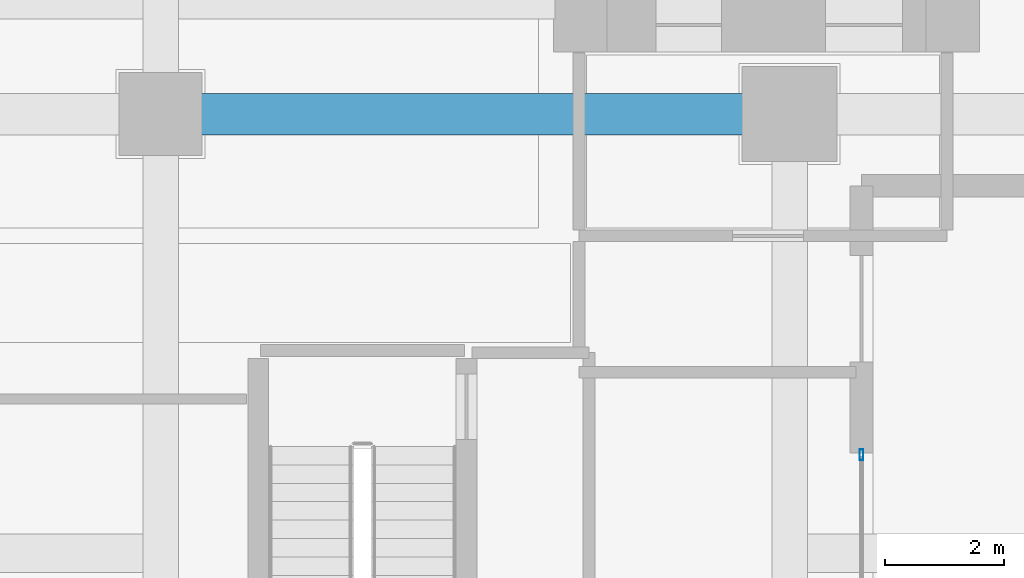
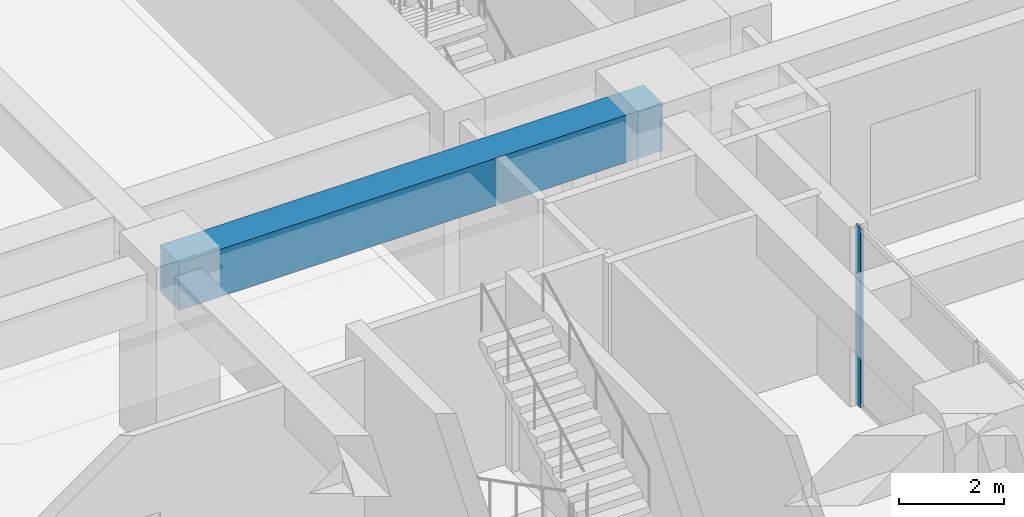
# One storey, part 10 of 39: 1 beam, 1 member, 1 element without a shape of its own.
"""IFC4 building model written with IfcOpenShell, lengths in metres."""

import ifcopenshell
import ifcopenshell.guid

model = None  # the IFC model being written
_history = None  # IfcOwnerHistory: only IFC2X3 demands one
_inside = {}  # id of a spatial element -> (the spatial element, [elements in it])
_under = {}  # id of a project, library or spatial element -> (it, [spatial elements below it])
_declared = {}  # id of a project -> (the project, [libraries it declares])
_typed = {}  # id of a type object -> (the type object, [elements of that type])
_made_of = {}  # id of a material, layer set ... -> (it, [elements and type objects made of it])


def new_model(schema):
    """Start an empty IFC model of exactly this schema.

    Asked for "IFC4X3", IfcOpenShell would pick the latest addendum, in which some entities
    have other attributes; the version numbers below select the first issue.
    IFC2X3 requires an IfcOwnerHistory on every rooted entity: one is made here for all.
    """
    global model, _history
    if schema == "IFC4X3":
        model = ifcopenshell.file(schema_version=(4, 3, 0, 0))
    else:
        model = ifcopenshell.file(schema=schema)
    _inside.clear()
    _under.clear()
    _declared.clear()
    _typed.clear()
    _made_of.clear()
    _history = None
    if model.schema == "IFC2X3":
        org = make("IfcOrganization", Name="unknown")
        user = make(
            "IfcPersonAndOrganization",
            ThePerson=make("IfcPerson", FamilyName="unknown"),
            TheOrganization=org,
        )
        app = make(
            "IfcApplication",
            ApplicationDeveloper=org,
            Version="unknown",
            ApplicationFullName="unknown",
            ApplicationIdentifier="unknown",
        )
        _history = make(
            "IfcOwnerHistory",
            OwningUser=user,
            OwningApplication=app,
            ChangeAction="ADDED",
            CreationDate=0,
        )
    return model


def make(cls, **values):
    """One entity of the class cls with the attributes given. An attribute that is None is left unset."""
    return model.create_entity(
        cls, **{name: value for name, value in values.items() if value is not None}
    )


def rooted(cls, **values):
    """An entity with a GlobalId (a new one), such as an element, a storey or a relation."""
    return make(cls, GlobalId=ifcopenshell.guid.new(), OwnerHistory=_history, **values)


def si_unit(unit_type, name, prefix=None):
    """IfcSIUnit, for example si_unit("LENGTHUNIT", "METRE", prefix="MILLI")."""
    return make("IfcSIUnit", UnitType=unit_type, Prefix=prefix, Name=name)


def assignment(units):
    """IfcUnitAssignment: the units of a project."""
    return None if units is None else make("IfcUnitAssignment", Units=units)


def point(xyz):
    """IfcCartesianPoint."""
    return None if xyz is None else make("IfcCartesianPoint", Coordinates=xyz)


def direction(xyz):
    """IfcDirection."""
    return None if xyz is None else make("IfcDirection", DirectionRatios=xyz)


def frame(location, z_axis=None, x_axis=None):
    """IfcAxis2Placement3D, a coordinate frame: its origin and axes. An axis left out is left unset."""
    return make(
        "IfcAxis2Placement3D",
        Location=point(location),
        Axis=direction(z_axis),
        RefDirection=direction(x_axis),
    )


def frame_2d(location, x_axis=None):
    """IfcAxis2Placement2D, a coordinate frame in the plane: its origin and x axis."""
    return make(
        "IfcAxis2Placement2D", Location=point(location), RefDirection=direction(x_axis)
    )


def origin():
    """The frame at (0, 0, 0) with its axes left unset."""
    return frame((0.0, 0.0, 0.0))


def origin_2d():
    """The frame at (0, 0) in the plane with its x axis left unset."""
    return frame_2d((0.0, 0.0))


def place(relative_to, where):
    """IfcLocalPlacement: puts the frame where relative to a parent placement (None: the world)."""
    return make(
        "IfcLocalPlacement", PlacementRelTo=relative_to, RelativePlacement=where
    )


def context(
    kind, dimensions, precision=None, world=None, true_north=None, identifier=None
):
    """IfcGeometricRepresentationContext, for example the 3D "Model" context."""
    return make(
        "IfcGeometricRepresentationContext",
        ContextIdentifier=identifier,
        ContextType=kind,
        CoordinateSpaceDimension=dimensions,
        Precision=precision,
        WorldCoordinateSystem=world,
        TrueNorth=true_north,
    )


def subcontext(parent, identifier, kind, view, scale=None):
    """IfcGeometricRepresentationSubContext, for example "Body" below "Model"."""
    return make(
        "IfcGeometricRepresentationSubContext",
        ContextIdentifier=identifier,
        ContextType=kind,
        ParentContext=parent,
        TargetScale=scale,
        TargetView=view,
    )


def project(units=None, contexts=None):
    """IfcProject with its units and contexts."""
    return rooted(
        "IfcProject",
        Name="project",
        RepresentationContexts=contexts,
        UnitsInContext=assignment(units),
    )


def spatial(cls, under=None, at=None, **own):
    """A site, building, storey or space (cls), placed at a placement, below another one or the project."""
    s = rooted(cls, ObjectPlacement=at, **own)
    if under is not None:
        _under.setdefault(under.id(), (under, []))[1].append(s)
    return s


def profile(cls, at=None, kind="AREA", **sizes):
    """A parametric profile (cls). Its sizes go by their IFC names, for example OverallWidth=200.0."""
    return make(cls, ProfileType=kind, Position=at, **sizes)


def rectangle(**sizes):
    """IfcRectangleProfileDef."""
    return profile("IfcRectangleProfileDef", **sizes)


def hollow_rectangle(**sizes):
    """IfcRectangleHollowProfileDef."""
    return profile("IfcRectangleHollowProfileDef", **sizes)


def extrude(swept, where, along, depth):
    """IfcExtrudedAreaSolid: the profile swept, set in the frame where, extruded along a direction by depth."""
    return make(
        "IfcExtrudedAreaSolid",
        SweptArea=swept,
        Position=where,
        ExtrudedDirection=direction(along),
        Depth=depth,
    )


def shape(context_of_items, identifier, shape_type, items):
    """IfcShapeRepresentation: the items that make up one representation, for example the "Body"."""
    return make(
        "IfcShapeRepresentation",
        ContextOfItems=context_of_items,
        RepresentationIdentifier=identifier,
        RepresentationType=shape_type,
        Items=items,
    )


def source(mapping_origin, context_of_items, identifier, shape_type, items):
    """IfcRepresentationMap: a shape defined once, which mapped items show again and again."""
    return make(
        "IfcRepresentationMap",
        MappingOrigin=mapping_origin,
        MappedRepresentation=shape(context_of_items, identifier, shape_type, items),
    )


def transform(
    local_origin,
    x_axis=None,
    y_axis=None,
    z_axis=None,
    scale=None,
    scale2=None,
    scale3=None,
    uniform=True,
):
    """IfcCartesianTransformationOperator3D, or its non-uniform kind. x_axis, y_axis, z_axis: its Axis1, 2, 3."""
    if uniform:
        return make(
            "IfcCartesianTransformationOperator3D",
            Axis1=direction(x_axis),
            Axis2=direction(y_axis),
            LocalOrigin=point(local_origin),
            Scale=scale,
            Axis3=direction(z_axis),
        )
    return make(
        "IfcCartesianTransformationOperator3DnonUniform",
        Axis1=direction(x_axis),
        Axis2=direction(y_axis),
        LocalOrigin=point(local_origin),
        Scale=scale,
        Axis3=direction(z_axis),
        Scale2=scale2,
        Scale3=scale3,
    )


def mapped(mapping_source, mapping_target):
    """IfcMappedItem: shows the shape of a source again, moved by a transform."""
    return make(
        "IfcMappedItem", MappingSource=mapping_source, MappingTarget=mapping_target
    )


def material(Name=None, Category=None):
    """IfcMaterial."""
    return make("IfcMaterial", Name=Name, Category=Category)


def layer(
    of_material, thickness, ventilated=None, Name=None, Category=None, Priority=None
):
    """IfcMaterialLayer: one layer of a wall or slab, of a material (None: an air gap)."""
    return make(
        "IfcMaterialLayer",
        Material=of_material,
        LayerThickness=thickness,
        IsVentilated=ventilated,
        Name=Name,
        Category=Category,
        Priority=Priority,
    )


def layer_set(layers, Name=None):
    """IfcMaterialLayerSet."""
    return make("IfcMaterialLayerSet", MaterialLayers=layers, LayerSetName=Name)


def material_profile(
    of_material, cross_section, Name=None, Category=None, Priority=None
):
    """IfcMaterialProfile: a cross section and its material."""
    return make(
        "IfcMaterialProfile",
        Name=Name,
        Material=of_material,
        Profile=cross_section,
        Priority=Priority,
        Category=Category,
    )


def profile_set(profiles, Name=None, composite=None):
    """IfcMaterialProfileSet."""
    return make(
        "IfcMaterialProfileSet",
        Name=Name,
        MaterialProfiles=profiles,
        CompositeProfile=composite,
    )


def made_of(thing, what):
    """Note that an element or type object is made of a material, layer set ...; save() writes the relation."""
    if what is not None:
        _made_of.setdefault(what.id(), (what, []))[1].append(thing)
    return thing


def type_object(cls, material=None, **own):
    """A type object (cls), such as IfcWallType, which elements share."""
    return made_of(rooted(cls, **own), material)


def element(
    cls,
    number,
    at=None,
    inside=None,
    cuts=None,
    type_object=None,
    material=None,
    context=None,
    identifier="Body",
    shape_type=None,
    held_by="IfcProductDefinitionShape",
    body=None,
    shapes=None,
    **own,
):
    """One element of the class cls, such as IfcWall. Its Tag is "e" and its number.

    at: its placement. inside: the storey or other place that contains it. cuts: it is an
    opening in that element (IfcRelVoidsElement). A single representation is given by context,
    identifier, shape_type and body (its items); several are given by shapes. held_by: the class
    of the entity that holds the representations. save() writes the other relations.
    """
    e = rooted(cls, Tag="e%d" % number, ObjectPlacement=at, **own)
    if body is not None:
        shapes = [shape(context, identifier, shape_type, body)]
    if shapes is not None:
        e.Representation = make(held_by, Representations=shapes)
    if inside is not None:
        _inside.setdefault(inside.id(), (inside, []))[1].append(e)
    if cuts is not None:
        rooted(
            "IfcRelVoidsElement", RelatingBuildingElement=cuts, RelatedOpeningElement=e
        )
    if type_object is not None:
        _typed.setdefault(type_object.id(), (type_object, []))[1].append(e)
    return made_of(e, material)


def aggregate(whole, parts):
    """IfcRelAggregates: a whole, such as a stair, and the parts it consists of."""
    return rooted("IfcRelAggregates", RelatingObject=whole, RelatedObjects=parts)


def save(model, path):
    """Write the relations noted so far, then the file.

    IfcRelAggregates (storeys below a building ...), IfcRelContainedInSpatialStructure (elements
    in a storey), IfcRelDefinesByType, IfcRelAssociatesMaterial and IfcRelDeclares: one each for
    every whole, place, type object, material and project.
    """
    for whole, parts in _under.values():
        aggregate(whole, parts)
    for where, things in _inside.values():
        rooted(
            "IfcRelContainedInSpatialStructure",
            RelatedElements=things,
            RelatingStructure=where,
        )
    for kind, things in _typed.values():
        rooted("IfcRelDefinesByType", RelatedObjects=things, RelatingType=kind)
    for what, things in _made_of.values():
        rooted("IfcRelAssociatesMaterial", RelatedObjects=things, RelatingMaterial=what)
    for by, libraries in _declared.values():
        rooted("IfcRelDeclares", RelatingContext=by, RelatedDefinitions=libraries)
    model.write(path)


model = new_model("IFC4")

# Units and contexts
model_context = context("Model", 3, precision=1e-05, world=origin(), true_north=direction((0.0, 1.0)))
body_context = subcontext(model_context, "Body", "Model", "MODEL_VIEW")
ifc_project = project(units=[si_unit("LENGTHUNIT", "METRE"), si_unit("AREAUNIT", "SQUARE_METRE"), si_unit("VOLUMEUNIT", "CUBIC_METRE"), si_unit("PLANEANGLEUNIT", "RADIAN"), si_unit("MASSUNIT", "GRAM", prefix="KILO")], contexts=[model_context])

# Site, building, storey
site_placement = place(None, origin())
site = spatial("IfcSite", under=ifc_project, at=site_placement, CompositionType="ELEMENT")
building_placement = place(site_placement, origin())
building = spatial("IfcBuilding", under=site, at=building_placement, Name="Khoralis Quay Care Tower", CompositionType="ELEMENT")
storey_placement = place(building_placement, origin())
storey = spatial("IfcBuildingStorey", under=building, at=storey_placement, Name="L00", CompositionType="ELEMENT", Elevation=0.0)

# Beam
ifc_material_1 = material(Name="Concrete C65/80", Category="concrete")
ifc_material_profile_1 = material_profile(ifc_material_1, rectangle(XDim=0.699951171875, YDim=1.10009765625, at=origin_2d()), Name="Concrete C65/80")
ifc_profile_set_1 = profile_set([ifc_material_profile_1], Name="Concrete C65/80")
beam_type = type_object("IfcBeamType", Name="BM-RC700X1100", PredefinedType="BEAM", material=ifc_profile_set_1)
shared_shape_1 = source(origin(), body_context, "Body", "SweptSolid", [
    extrude(rectangle(XDim=0.699951171875, YDim=1.10009765625, at=origin_2d()), origin(), (0.0, 0.0, 1.0), 10.60009765625),
])
beam_placement = place(storey_placement, frame((24.0, 13.39990234375, 3.610107421875), z_axis=(1.0, 0.0, 0.0), x_axis=(0.0, 1.0, 0.0)))
element("IfcBeam", 1, at=beam_placement, inside=storey, type_object=beam_type, Name="BM-PODX-L00-10", PredefinedType="BEAM", context=body_context, shape_type="MappedRepresentation", body=[
    mapped(shared_shape_1, transform((0.0, 0.0, 0.0), scale=1.0)),
])

# Curtain wall, member
ifc_material_2 = material(Name="Pale anodised aluminium", Category="aluminium")
ifc_layer = layer(ifc_material_2, 0.179931640625)
ifc_layer_set = layer_set([ifc_layer], Name="Pale anodised aluminium")
curtain_wall_type = type_object("IfcCurtainWallType", Name="CW-SYS-Z1", PredefinedType="NOTDEFINED", material=ifc_layer_set)
curtain_wall_placement = place(storey_placement, origin())
curtain_wall = element("IfcCurtainWall", 2, at=curtain_wall_placement, inside=storey, type_object=curtain_wall_type, Name="L00 Unitised Curtain Wall CW-POD-L00-E1", PredefinedType="NOTDEFINED")
ifc_material_profile_2 = material_profile(ifc_material_2, hollow_rectangle(XDim=0.06494140625, YDim=0.179931640625, WallThickness=0.00390625, at=origin_2d()), Name="Pale anodised aluminium")
ifc_profile_set_2 = profile_set([ifc_material_profile_2], Name="Pale anodised aluminium")
member_type = type_object("IfcMemberType", Name="CW-MUL-180", PredefinedType="MULLION", material=ifc_profile_set_2)
shared_shape_2 = source(origin(), body_context, "Body", "SweptSolid", [
    extrude(hollow_rectangle(XDim=0.06494140625, YDim=0.179931640625, WallThickness=0.00390625, at=origin_2d()), origin(), (0.0, 0.0, 1.0), 4.159912109375),
])
member_placement = place(storey_placement, frame((35.81005859375, 7.659912109375, 0.0), z_axis=(0.0, 0.0, 1.0), x_axis=(-1.0, 0.0, 0.0)))
member = element("IfcMember", 3, at=member_placement, type_object=member_type, Name="CW1 mullion 3", PredefinedType="MULLION", context=body_context, shape_type="MappedRepresentation", body=[
    mapped(shared_shape_2, transform((0.0, 0.0, 0.0), scale=1.0)),
])
aggregate(curtain_wall, [member])

save(model, "model.ifc")
